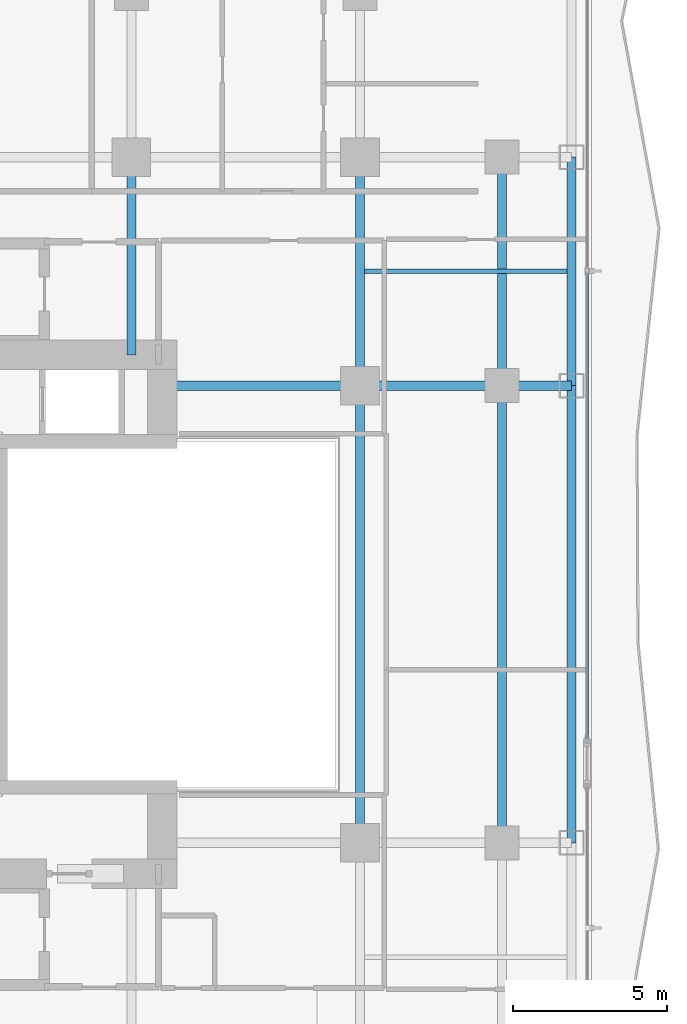
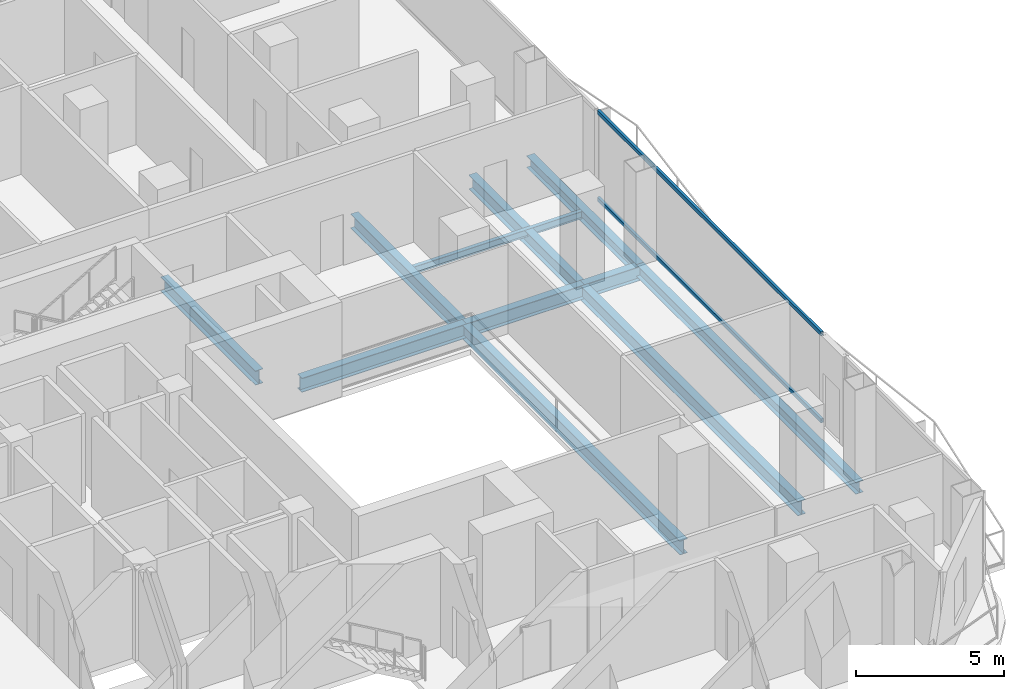
# One storey, part 10 of 28: 11 beams, 2 members, 1 element without a shape of its own.
"""IFC4 building model written with IfcOpenShell, lengths in metres."""

import ifcopenshell
import ifcopenshell.guid

model = None  # the IFC model being written
_history = None  # IfcOwnerHistory: only IFC2X3 demands one
_inside = {}  # id of a spatial element -> (the spatial element, [elements in it])
_under = {}  # id of a project, library or spatial element -> (it, [spatial elements below it])
_declared = {}  # id of a project -> (the project, [libraries it declares])
_typed = {}  # id of a type object -> (the type object, [elements of that type])
_made_of = {}  # id of a material, layer set ... -> (it, [elements and type objects made of it])


def new_model(schema):
    """Start an empty IFC model of exactly this schema.

    Asked for "IFC4X3", IfcOpenShell would pick the latest addendum, in which some entities
    have other attributes; the version numbers below select the first issue.
    IFC2X3 requires an IfcOwnerHistory on every rooted entity: one is made here for all.
    """
    global model, _history
    if schema == "IFC4X3":
        model = ifcopenshell.file(schema_version=(4, 3, 0, 0))
    else:
        model = ifcopenshell.file(schema=schema)
    _inside.clear()
    _under.clear()
    _declared.clear()
    _typed.clear()
    _made_of.clear()
    _history = None
    if model.schema == "IFC2X3":
        org = make("IfcOrganization", Name="unknown")
        user = make(
            "IfcPersonAndOrganization",
            ThePerson=make("IfcPerson", FamilyName="unknown"),
            TheOrganization=org,
        )
        app = make(
            "IfcApplication",
            ApplicationDeveloper=org,
            Version="unknown",
            ApplicationFullName="unknown",
            ApplicationIdentifier="unknown",
        )
        _history = make(
            "IfcOwnerHistory",
            OwningUser=user,
            OwningApplication=app,
            ChangeAction="ADDED",
            CreationDate=0,
        )
    return model


def make(cls, **values):
    """One entity of the class cls with the attributes given. An attribute that is None is left unset."""
    return model.create_entity(
        cls, **{name: value for name, value in values.items() if value is not None}
    )


def rooted(cls, **values):
    """An entity with a GlobalId (a new one), such as an element, a storey or a relation."""
    return make(cls, GlobalId=ifcopenshell.guid.new(), OwnerHistory=_history, **values)


def si_unit(unit_type, name, prefix=None):
    """IfcSIUnit, for example si_unit("LENGTHUNIT", "METRE", prefix="MILLI")."""
    return make("IfcSIUnit", UnitType=unit_type, Prefix=prefix, Name=name)


def assignment(units):
    """IfcUnitAssignment: the units of a project."""
    return None if units is None else make("IfcUnitAssignment", Units=units)


def point(xyz):
    """IfcCartesianPoint."""
    return None if xyz is None else make("IfcCartesianPoint", Coordinates=xyz)


def direction(xyz):
    """IfcDirection."""
    return None if xyz is None else make("IfcDirection", DirectionRatios=xyz)


def frame(location, z_axis=None, x_axis=None):
    """IfcAxis2Placement3D, a coordinate frame: its origin and axes. An axis left out is left unset."""
    return make(
        "IfcAxis2Placement3D",
        Location=point(location),
        Axis=direction(z_axis),
        RefDirection=direction(x_axis),
    )


def frame_2d(location, x_axis=None):
    """IfcAxis2Placement2D, a coordinate frame in the plane: its origin and x axis."""
    return make(
        "IfcAxis2Placement2D", Location=point(location), RefDirection=direction(x_axis)
    )


def origin():
    """The frame at (0, 0, 0) with its axes left unset."""
    return frame((0.0, 0.0, 0.0))


def origin_2d():
    """The frame at (0, 0) in the plane with its x axis left unset."""
    return frame_2d((0.0, 0.0))


def place(relative_to, where):
    """IfcLocalPlacement: puts the frame where relative to a parent placement (None: the world)."""
    return make(
        "IfcLocalPlacement", PlacementRelTo=relative_to, RelativePlacement=where
    )


def context(
    kind, dimensions, precision=None, world=None, true_north=None, identifier=None
):
    """IfcGeometricRepresentationContext, for example the 3D "Model" context."""
    return make(
        "IfcGeometricRepresentationContext",
        ContextIdentifier=identifier,
        ContextType=kind,
        CoordinateSpaceDimension=dimensions,
        Precision=precision,
        WorldCoordinateSystem=world,
        TrueNorth=true_north,
    )


def subcontext(parent, identifier, kind, view, scale=None):
    """IfcGeometricRepresentationSubContext, for example "Body" below "Model"."""
    return make(
        "IfcGeometricRepresentationSubContext",
        ContextIdentifier=identifier,
        ContextType=kind,
        ParentContext=parent,
        TargetScale=scale,
        TargetView=view,
    )


def project(units=None, contexts=None):
    """IfcProject with its units and contexts."""
    return rooted(
        "IfcProject",
        Name="project",
        RepresentationContexts=contexts,
        UnitsInContext=assignment(units),
    )


def spatial(cls, under=None, at=None, **own):
    """A site, building, storey or space (cls), placed at a placement, below another one or the project."""
    s = rooted(cls, ObjectPlacement=at, **own)
    if under is not None:
        _under.setdefault(under.id(), (under, []))[1].append(s)
    return s


def profile(cls, at=None, kind="AREA", **sizes):
    """A parametric profile (cls). Its sizes go by their IFC names, for example OverallWidth=200.0."""
    return make(cls, ProfileType=kind, Position=at, **sizes)


def hollow_rectangle(**sizes):
    """IfcRectangleHollowProfileDef."""
    return profile("IfcRectangleHollowProfileDef", **sizes)


def i_section(**sizes):
    """IfcIShapeProfileDef."""
    return profile("IfcIShapeProfileDef", **sizes)


def extrude(swept, where, along, depth):
    """IfcExtrudedAreaSolid: the profile swept, set in the frame where, extruded along a direction by depth."""
    return make(
        "IfcExtrudedAreaSolid",
        SweptArea=swept,
        Position=where,
        ExtrudedDirection=direction(along),
        Depth=depth,
    )


def shape(context_of_items, identifier, shape_type, items):
    """IfcShapeRepresentation: the items that make up one representation, for example the "Body"."""
    return make(
        "IfcShapeRepresentation",
        ContextOfItems=context_of_items,
        RepresentationIdentifier=identifier,
        RepresentationType=shape_type,
        Items=items,
    )


def material(Name=None, Category=None):
    """IfcMaterial."""
    return make("IfcMaterial", Name=Name, Category=Category)


def layer(
    of_material, thickness, ventilated=None, Name=None, Category=None, Priority=None
):
    """IfcMaterialLayer: one layer of a wall or slab, of a material (None: an air gap)."""
    return make(
        "IfcMaterialLayer",
        Material=of_material,
        LayerThickness=thickness,
        IsVentilated=ventilated,
        Name=Name,
        Category=Category,
        Priority=Priority,
    )


def layer_set(layers, Name=None):
    """IfcMaterialLayerSet."""
    return make("IfcMaterialLayerSet", MaterialLayers=layers, LayerSetName=Name)


def material_profile(
    of_material, cross_section, Name=None, Category=None, Priority=None
):
    """IfcMaterialProfile: a cross section and its material."""
    return make(
        "IfcMaterialProfile",
        Name=Name,
        Material=of_material,
        Profile=cross_section,
        Priority=Priority,
        Category=Category,
    )


def profile_set(profiles, Name=None, composite=None):
    """IfcMaterialProfileSet."""
    return make(
        "IfcMaterialProfileSet",
        Name=Name,
        MaterialProfiles=profiles,
        CompositeProfile=composite,
    )


def made_of(thing, what):
    """Note that an element or type object is made of a material, layer set ...; save() writes the relation."""
    if what is not None:
        _made_of.setdefault(what.id(), (what, []))[1].append(thing)
    return thing


def type_object(cls, material=None, **own):
    """A type object (cls), such as IfcWallType, which elements share."""
    return made_of(rooted(cls, **own), material)


def element(
    cls,
    number,
    at=None,
    inside=None,
    cuts=None,
    type_object=None,
    material=None,
    context=None,
    identifier="Body",
    shape_type=None,
    held_by="IfcProductDefinitionShape",
    body=None,
    shapes=None,
    **own,
):
    """One element of the class cls, such as IfcWall. Its Tag is "e" and its number.

    at: its placement. inside: the storey or other place that contains it. cuts: it is an
    opening in that element (IfcRelVoidsElement). A single representation is given by context,
    identifier, shape_type and body (its items); several are given by shapes. held_by: the class
    of the entity that holds the representations. save() writes the other relations.
    """
    e = rooted(cls, Tag="e%d" % number, ObjectPlacement=at, **own)
    if body is not None:
        shapes = [shape(context, identifier, shape_type, body)]
    if shapes is not None:
        e.Representation = make(held_by, Representations=shapes)
    if inside is not None:
        _inside.setdefault(inside.id(), (inside, []))[1].append(e)
    if cuts is not None:
        rooted(
            "IfcRelVoidsElement", RelatingBuildingElement=cuts, RelatedOpeningElement=e
        )
    if type_object is not None:
        _typed.setdefault(type_object.id(), (type_object, []))[1].append(e)
    return made_of(e, material)


def aggregate(whole, parts):
    """IfcRelAggregates: a whole, such as a stair, and the parts it consists of."""
    return rooted("IfcRelAggregates", RelatingObject=whole, RelatedObjects=parts)


def save(model, path):
    """Write the relations noted so far, then the file.

    IfcRelAggregates (storeys below a building ...), IfcRelContainedInSpatialStructure (elements
    in a storey), IfcRelDefinesByType, IfcRelAssociatesMaterial and IfcRelDeclares: one each for
    every whole, place, type object, material and project.
    """
    for whole, parts in _under.values():
        aggregate(whole, parts)
    for where, things in _inside.values():
        rooted(
            "IfcRelContainedInSpatialStructure",
            RelatedElements=things,
            RelatingStructure=where,
        )
    for kind, things in _typed.values():
        rooted("IfcRelDefinesByType", RelatedObjects=things, RelatingType=kind)
    for what, things in _made_of.values():
        rooted("IfcRelAssociatesMaterial", RelatedObjects=things, RelatingMaterial=what)
    for by, libraries in _declared.values():
        rooted("IfcRelDeclares", RelatingContext=by, RelatedDefinitions=libraries)
    model.write(path)


model = new_model("IFC4")

# Units and contexts
model_context = context("Model", 3, precision=1e-05, world=origin(), true_north=direction((0.0, 1.0)))
body_context = subcontext(model_context, "Body", "Model", "MODEL_VIEW")
ifc_project = project(units=[si_unit("LENGTHUNIT", "METRE"), si_unit("AREAUNIT", "SQUARE_METRE"), si_unit("VOLUMEUNIT", "CUBIC_METRE"), si_unit("PLANEANGLEUNIT", "RADIAN"), si_unit("MASSUNIT", "GRAM", prefix="KILO")], contexts=[model_context])

# Site, building, storey
site_placement = place(None, origin())
site = spatial("IfcSite", under=ifc_project, at=site_placement, CompositionType="ELEMENT")
building_placement = place(site_placement, origin())
building = spatial("IfcBuilding", under=site, at=building_placement, Name="Khorvyn Point Tower", CompositionType="ELEMENT")
storey_placement = place(building_placement, frame((0.0, 0.0, 89.10009765625)))
storey = spatial("IfcBuildingStorey", under=building, at=storey_placement, Name="L22", CompositionType="ELEMENT", Elevation=89.10009765625)

# Curtain wall, members
ifc_material_1 = material(Name="Anodised aluminium 6063-T6 and laminated Low-E glass", Category="aluminium")
ifc_layer = layer(ifc_material_1, 0.18994140625)
ifc_layer_set = layer_set([ifc_layer], Name="Stick-Built Finned Residential Curtain Wall CW-SYS-02")
curtain_wall_type = type_object("IfcCurtainWallType", Name="Stick-Built Finned Residential Curtain Wall CW-SYS-02", PredefinedType="NOTDEFINED", material=ifc_layer_set)
curtain_wall_placement = place(storey_placement, origin())
curtain_wall = element("IfcCurtainWall", 1, at=curtain_wall_placement, inside=storey, type_object=curtain_wall_type, Name="Curtain Wall", PredefinedType="NOTDEFINED")
ifc_material_2 = material(Name="Anodised aluminium 6063-T6", Category="aluminium")
ifc_material_profile_1 = material_profile(ifc_material_2, hollow_rectangle(XDim=0.10009765625, YDim=0.159912109375, WallThickness=0.00439453125, at=origin_2d()))
ifc_profile_set_1 = profile_set([ifc_material_profile_1], Name="Anodised aluminium 6063-T6 ALU-TRN-100x160")
member_type = type_object("IfcMemberType", Name="Anodised Aluminium 6063-T6 Transom ALU-TRN-100x160", PredefinedType="USERDEFINED", material=ifc_profile_set_1)
member_1_placement = place(storey_placement, frame((22.14990234375, 11.070068359375, 0.0498046875), z_axis=(0.0, -1.0, 0.0), x_axis=(1.0, 0.0, 0.0)))
member_1 = element("IfcMember", 2, at=member_1_placement, type_object=member_type, Name="Transom", ObjectType="TRANSOM", PredefinedType="USERDEFINED", context=body_context, shape_type="SweptSolid", body=[
    extrude(hollow_rectangle(XDim=0.10009765625, YDim=0.159912109375, WallThickness=0.00439453125, at=origin_2d()), origin(), (0.0, 0.0, 1.0), 15.080078125),
])
member_2_placement = place(storey_placement, frame((22.14990234375, 11.070068359375, 3.6298828125), z_axis=(0.0, -1.0, 0.0), x_axis=(1.0, 0.0, 0.0)))
member_2 = element("IfcMember", 3, at=member_2_placement, type_object=member_type, Name="Transom", ObjectType="TRANSOM", PredefinedType="USERDEFINED", context=body_context, shape_type="SweptSolid", body=[
    extrude(hollow_rectangle(XDim=0.10009765625, YDim=0.159912109375, WallThickness=0.00439453125, at=origin_2d()), origin(), (0.0, 0.0, 1.0), 15.080078125),
])
aggregate(curtain_wall, [member_1, member_2])

# Beams
ifc_material_3 = material(Name="Steel S355", Category="steel")
ifc_material_profile_2 = material_profile(ifc_material_3, i_section(OverallWidth=0.300048828125, OverallDepth=0.587890625, WebThickness=0.011962890625, FlangeThickness=0.02001953125, at=origin_2d()))
ifc_profile_set_2 = profile_set([ifc_material_profile_2], Name="Steel S355 H588x300x12x20")
beam_type_1 = type_object("IfcBeamType", Name="Steel S355 Beam H588x300x12x20", PredefinedType="BEAM", material=ifc_profile_set_2)
beam_1_placement = place(storey_placement, frame((8.39990234375, 7.39990234375, -0.51416015625), z_axis=(1.0, 0.0, 0.0), x_axis=(0.0, 1.0, 0.0)))
element("IfcBeam", 4, at=beam_1_placement, inside=storey, type_object=beam_type_1, Name="Beam", PredefinedType="BEAM", context=body_context, shape_type="SweptSolid", body=[
    extrude(i_section(OverallWidth=0.300048828125, OverallDepth=0.587890625, WebThickness=0.011962890625, FlangeThickness=0.02001953125, at=origin_2d()), origin(), (0.0, 0.0, 1.0), 6.400146484375),
])
beam_2_placement = place(storey_placement, frame((14.800048828125, 7.39990234375, -0.51416015625), z_axis=(1.0, 0.0, 0.0), x_axis=(0.0, 1.0, 0.0)))
element("IfcBeam", 5, at=beam_2_placement, inside=storey, type_object=beam_type_1, Name="Beam", PredefinedType="BEAM", context=body_context, shape_type="SweptSolid", body=[
    extrude(i_section(OverallWidth=0.300048828125, OverallDepth=0.587890625, WebThickness=0.011962890625, FlangeThickness=0.02001953125, at=origin_2d()), origin(), (0.0, 0.0, 1.0), 4.599853515625),
])
beam_3_placement = place(storey_placement, frame((19.39990234375, 7.39990234375, -0.51416015625), z_axis=(1.0, 0.0, 0.0), x_axis=(0.0, 1.0, 0.0)))
element("IfcBeam", 6, at=beam_3_placement, inside=storey, type_object=beam_type_1, Name="Beam", PredefinedType="BEAM", context=body_context, shape_type="SweptSolid", body=[
    extrude(i_section(OverallWidth=0.300048828125, OverallDepth=0.587890625, WebThickness=0.011962890625, FlangeThickness=0.02001953125, at=origin_2d()), origin(), (0.0, 0.0, 1.0), 2.25),
])
beam_4_placement = place(storey_placement, frame((14.800048828125, -7.39990234375, -0.51416015625), z_axis=(0.0, 1.0, 0.0), x_axis=(-1.0, 0.0, 0.0)))
element("IfcBeam", 7, at=beam_4_placement, inside=storey, type_object=beam_type_1, Name="Beam", PredefinedType="BEAM", context=body_context, shape_type="SweptSolid", body=[
    extrude(i_section(OverallWidth=0.300048828125, OverallDepth=0.587890625, WebThickness=0.011962890625, FlangeThickness=0.02001953125, at=origin_2d()), origin(), (0.0, 0.0, 1.0), 14.7998046875),
])
beam_5_placement = place(storey_placement, frame((14.800048828125, 7.39990234375, -0.51416015625), z_axis=(0.0, 1.0, 0.0), x_axis=(-1.0, 0.0, 0.0)))
element("IfcBeam", 8, at=beam_5_placement, inside=storey, type_object=beam_type_1, Name="Beam", PredefinedType="BEAM", context=body_context, shape_type="SweptSolid", body=[
    extrude(i_section(OverallWidth=0.300048828125, OverallDepth=0.587890625, WebThickness=0.011962890625, FlangeThickness=0.02001953125, at=origin_2d()), origin(), (0.0, 0.0, 1.0), 7.400146484375),
])
beam_6_placement = place(storey_placement, frame((7.39990234375, 8.39990234375, -0.51416015625), z_axis=(0.0, 1.0, 0.0), x_axis=(-1.0, 0.0, 0.0)))
element("IfcBeam", 9, at=beam_6_placement, inside=storey, type_object=beam_type_1, Name="Beam", PredefinedType="BEAM", context=body_context, shape_type="SweptSolid", body=[
    extrude(i_section(OverallWidth=0.300048828125, OverallDepth=0.587890625, WebThickness=0.011962890625, FlangeThickness=0.02001953125, at=origin_2d()), origin(), (0.0, 0.0, 1.0), 6.400146484375),
])
beam_7_placement = place(storey_placement, frame((19.39990234375, -7.39990234375, -0.51416015625), z_axis=(0.0, 1.0, 0.0), x_axis=(-1.0, 0.0, 0.0)))
element("IfcBeam", 10, at=beam_7_placement, inside=storey, type_object=beam_type_1, Name="Beam", PredefinedType="BEAM", context=body_context, shape_type="SweptSolid", body=[
    extrude(i_section(OverallWidth=0.300048828125, OverallDepth=0.587890625, WebThickness=0.011962890625, FlangeThickness=0.02001953125, at=origin_2d()), origin(), (0.0, 0.0, 1.0), 14.7998046875),
])
beam_8_placement = place(storey_placement, frame((19.39990234375, 7.39990234375, -0.51416015625), z_axis=(0.0, 1.0, 0.0), x_axis=(-1.0, 0.0, 0.0)))
element("IfcBeam", 11, at=beam_8_placement, inside=storey, type_object=beam_type_1, Name="Beam", PredefinedType="BEAM", context=body_context, shape_type="SweptSolid", body=[
    extrude(i_section(OverallWidth=0.300048828125, OverallDepth=0.587890625, WebThickness=0.011962890625, FlangeThickness=0.02001953125, at=origin_2d()), origin(), (0.0, 0.0, 1.0), 7.400146484375),
])
ifc_material_profile_3 = material_profile(ifc_material_3, i_section(OverallWidth=0.14990234375, OverallDepth=0.300048828125, WebThickness=0.006591796875, FlangeThickness=0.009033203125, at=origin_2d()))
ifc_profile_set_3 = profile_set([ifc_material_profile_3], Name="Steel S355 H300x150x6.5x9")
beam_type_2 = type_object("IfcBeamType", Name="Steel S355 Joist H300x150x6.5x9", PredefinedType="JOIST", material=ifc_profile_set_3)
beam_9_placement = place(storey_placement, frame((14.949951171875, 11.10009765625, -0.3701171875), z_axis=(1.0, 0.0, 0.0), x_axis=(0.0, 1.0, 0.0)))
element("IfcBeam", 12, at=beam_9_placement, inside=storey, type_object=beam_type_2, Name="Beam", PredefinedType="JOIST", context=body_context, shape_type="SweptSolid", body=[
    extrude(i_section(OverallWidth=0.14990234375, OverallDepth=0.300048828125, WebThickness=0.006591796875, FlangeThickness=0.009033203125, at=origin_2d()), origin(), (0.0, 0.0, 1.0), 6.550048828125),
])
ifc_material_profile_4 = material_profile(ifc_material_3, i_section(OverallWidth=0.300048828125, OverallDepth=0.488037109375, WebThickness=0.010986328125, FlangeThickness=0.01806640625, at=origin_2d()))
ifc_profile_set_4 = profile_set([ifc_material_profile_4], Name="Steel S355 H488x300x11x18")
beam_type_3 = type_object("IfcBeamType", Name="Steel S355 Spandrel H488x300x11x18", PredefinedType="SPANDREL", material=ifc_profile_set_4)
beam_10_placement = place(storey_placement, frame((21.64990234375, -7.39990234375, -0.464111328125), z_axis=(0.0, 1.0, 0.0), x_axis=(-1.0, 0.0, 0.0)))
element("IfcBeam", 13, at=beam_10_placement, inside=storey, type_object=beam_type_3, Name="Beam", PredefinedType="SPANDREL", context=body_context, shape_type="SweptSolid", body=[
    extrude(i_section(OverallWidth=0.300048828125, OverallDepth=0.488037109375, WebThickness=0.010986328125, FlangeThickness=0.01806640625, at=origin_2d()), origin(), (0.0, 0.0, 1.0), 14.7998046875),
])
beam_11_placement = place(storey_placement, frame((21.64990234375, 7.39990234375, -0.464111328125), z_axis=(0.0, 1.0, 0.0), x_axis=(-1.0, 0.0, 0.0)))
element("IfcBeam", 14, at=beam_11_placement, inside=storey, type_object=beam_type_3, Name="Beam", PredefinedType="SPANDREL", context=body_context, shape_type="SweptSolid", body=[
    extrude(i_section(OverallWidth=0.300048828125, OverallDepth=0.488037109375, WebThickness=0.010986328125, FlangeThickness=0.01806640625, at=origin_2d()), origin(), (0.0, 0.0, 1.0), 7.400146484375),
])

save(model, "model.ifc")
